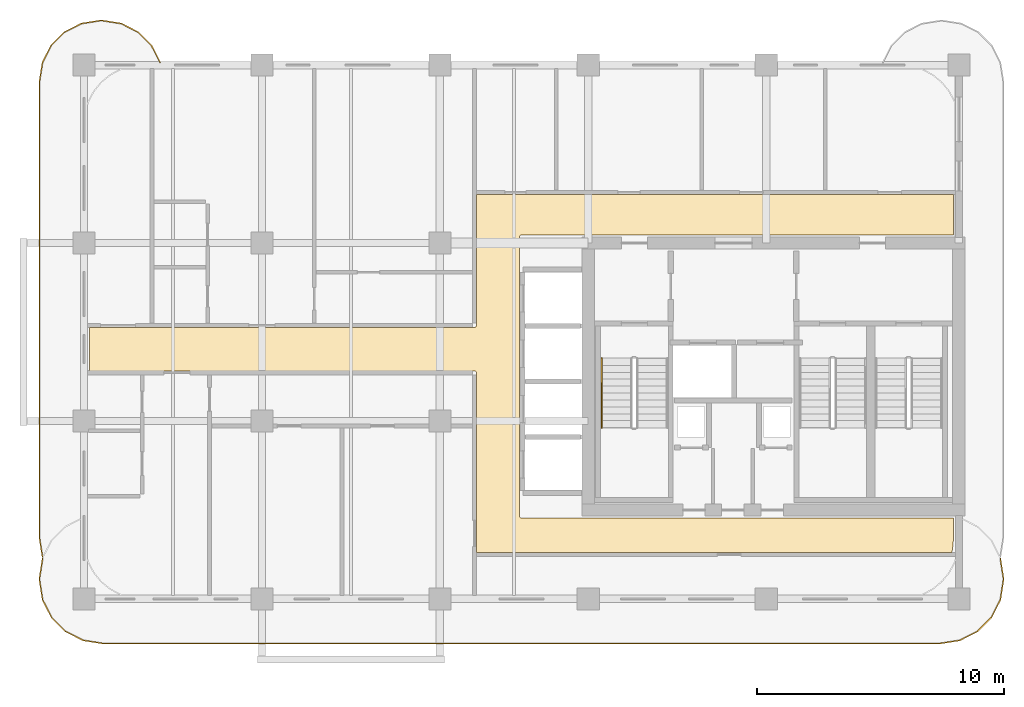
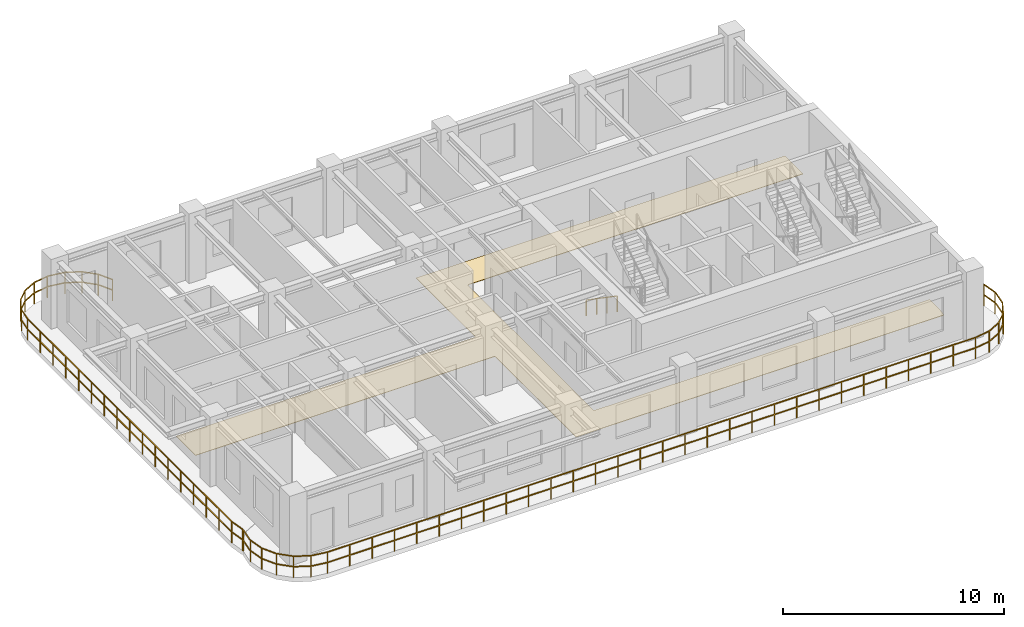
# One storey, part 6 of 7: 3 railings, 1 covering.
"""IFC4 building model written with IfcOpenShell, lengths in metres."""

from ifc_helpers import new_model, si_unit, derived_unit, direction, frame, origin, origin_2d, place, context, subcontext, project, spatial, polyline, rectangle, outline, extrude, material, layer, layer_set, type_object, element, save


model = new_model("IFC4")

# Units and contexts
model_context = context("Model", 3, precision=1e-05, world=origin(), true_north=direction((0.0, 1.0)))
body_context = subcontext(model_context, "Body", "Model", "MODEL_VIEW")
ifc_project = project(units=[si_unit("LENGTHUNIT", "METRE"), si_unit("AREAUNIT", "SQUARE_METRE"), si_unit("VOLUMEUNIT", "CUBIC_METRE"), si_unit("PLANEANGLEUNIT", "RADIAN"), si_unit("MASSUNIT", "GRAM", prefix="KILO"), si_unit("THERMODYNAMICTEMPERATUREUNIT", "KELVIN"), si_unit("POWERUNIT", "WATT"), derived_unit("THERMALTRANSMITTANCEUNIT", [(si_unit("POWERUNIT", "WATT"), 1), (si_unit("AREAUNIT", "SQUARE_METRE"), -1), (si_unit("THERMODYNAMICTEMPERATUREUNIT", "KELVIN"), -1)])], contexts=[model_context])

# Site, building, storey
site_placement = place(None, origin())
site = spatial("IfcSite", under=ifc_project, at=site_placement, CompositionType="ELEMENT")
building_placement = place(site_placement, origin())
building = spatial("IfcBuilding", under=site, at=building_placement, Name="Zahravan Archway Hotel and Residences", CompositionType="ELEMENT")
storey_placement = place(building_placement, frame((0.0, 0.0, 221.14990234375)))
storey = spatial("IfcBuildingStorey", under=building, at=storey_placement, Name="L55", CompositionType="ELEMENT", Elevation=221.14990234375)

# Covering
ifc_material_1 = material(Name="Engineered Walnut Parquet Flooring")
ifc_layer = layer(ifc_material_1, 0.02197265625, Name="Engineered Walnut Parquet Flooring")
ifc_layer_set = layer_set([ifc_layer], Name="Engineered Walnut Parquet Flooring")
covering_type = type_object("IfcCoveringType", Name="COV-FLR-TIMB", PredefinedType="FLOORING", material=ifc_layer_set)
covering_placement = place(storey_placement, origin())
element("IfcCovering", 1, at=covering_placement, inside=storey, type_object=covering_type, Name="L55 Circulation Floor Finish", PredefinedType="FLOORING", context=body_context, shape_type="SweptSolid", body=[
    extrude(outline(polyline([(30.215576171875, 10.991455078125), (30.256591796875, 11.013427734375), (30.278564453125, 11.054443359375), (30.280029296875, 16.3701171875), (49.580078125, 16.3701171875), (49.580078125, 14.72998046875), (32.10009765625, 14.72998046875), (32.0556640625, 14.716552734375), (32.026123046875, 14.6806640625), (32.02001953125, 3.35009765625), (32.033447265625, 3.3056640625), (32.0693359375, 3.276123046875), (49.580078125, 3.27001953125), (49.580078125, 2.410888671875), (49.537109375, 1.974853515625), (49.50830078125, 1.8798828125), (30.280029296875, 1.8798828125), (30.280029296875, 9.14990234375), (30.2666015625, 9.1943359375), (30.230712890625, 9.223876953125), (14.6201171875, 9.22998046875), (14.6201171875, 10.989990234375), (30.199951171875, 10.989990234375), (30.215576171875, 10.991455078125)])), origin(), (0.0, 0.0, 1.0), 0.022216796875),
])

# Railings
ifc_material_2 = material(Name="Bronze & Laminated Glass Balustrade", Category="glass")
railing_type_1 = type_object("IfcRailingType", Name="RL-BAL-1200", PredefinedType="BALUSTRADE", material=ifc_material_2)
railing_1_placement = place(storey_placement, frame((51.47509765625, 1.637939453125, 0.0)))
element("IfcRailing", 2, at=railing_1_placement, inside=storey, type_object=railing_type_1, Name="L55 Balustrade RL-SLB-BAL-L55-SA-1", PredefinedType="BALUSTRADE", context=body_context, shape_type="SweptSolid", body=[
    extrude(rectangle(XDim=0.048095703125, YDim=0.048095703125, at=origin_2d()), frame((0.0, 0.0, 1.17578125), z_axis=(0.156701202656, -0.987646056584, 0.0), x_axis=(0.987646056584, 0.156701202656, 0.0)), (0.0, 0.0, 1.0), 0.797607421875),
    extrude(rectangle(XDim=0.048095703125, YDim=0.048095703125, at=origin_2d()), frame((0.0, 0.0, 0.60009765625), z_axis=(0.156701202656, -0.987646056584, 0.0), x_axis=(0.987646056584, 0.156701202656, 0.0)), (0.0, 0.0, 1.0), 0.797607421875),
    extrude(rectangle(XDim=0.048095703125, YDim=0.048095703125, at=origin_2d()), frame((0.125, -0.787841796875, 1.17578125), z_axis=(0.0, -1.0, 0.0), x_axis=(1.0, 0.0, 0.0)), (0.0, 0.0, 1.0), 0.10009765625),
    extrude(rectangle(XDim=0.048095703125, YDim=0.048095703125, at=origin_2d()), frame((0.125, -0.787841796875, 0.60009765625), z_axis=(0.0, -1.0, 0.0), x_axis=(1.0, 0.0, 0.0)), (0.0, 0.0, 1.0), 0.10009765625),
    extrude(rectangle(XDim=0.048095703125, YDim=0.048095703125, at=origin_2d()), frame((0.125, -0.887939453125, 1.17578125), z_axis=(-0.156653849773, -0.98765356849, 0.0), x_axis=(0.98765356849, -0.156653849773, 0.0)), (0.0, 0.0, 1.0), 0.7978515625),
    extrude(rectangle(XDim=0.048095703125, YDim=0.048095703125, at=origin_2d()), frame((0.125, -0.887939453125, 0.60009765625), z_axis=(-0.156653849773, -0.98765356849, 0.0), x_axis=(0.98765356849, -0.156653849773, 0.0)), (0.0, 0.0, 1.0), 0.7978515625),
    extrude(rectangle(XDim=0.048095703125, YDim=0.048095703125, at=origin_2d()), frame((0.0, -1.676025390625, 1.17578125), z_axis=(-0.453934952053, -0.891034824967, 0.0), x_axis=(0.891034824967, -0.453934952053, 0.0)), (0.0, 0.0, 1.0), 0.797607421875),
    extrude(rectangle(XDim=0.048095703125, YDim=0.048095703125, at=origin_2d()), frame((0.0, -1.676025390625, 0.60009765625), z_axis=(-0.453934952053, -0.891034824967, 0.0), x_axis=(0.891034824967, -0.453934952053, 0.0)), (0.0, 0.0, 1.0), 0.797607421875),
    extrude(rectangle(XDim=0.048095703125, YDim=0.048095703125, at=origin_2d()), frame((-0.362060546875, -2.38671875, 1.17578125), z_axis=(-0.707106781187, -0.707106781187, 0.0), x_axis=(0.707106781187, -0.707106781187, 0.0)), (0.0, 0.0, 1.0), 0.7978515625),
    extrude(rectangle(XDim=0.048095703125, YDim=0.048095703125, at=origin_2d()), frame((-0.362060546875, -2.38671875, 0.60009765625), z_axis=(-0.707106781187, -0.707106781187, 0.0), x_axis=(0.707106781187, -0.707106781187, 0.0)), (0.0, 0.0, 1.0), 0.7978515625),
    extrude(rectangle(XDim=0.048095703125, YDim=0.048095703125, at=origin_2d()), frame((-0.92626953125, -2.950927734375, 1.17578125), z_axis=(-0.890974108706, -0.454054113091, 0.0), x_axis=(0.454054113091, -0.890974108706, 0.0)), (0.0, 0.0, 1.0), 0.7978515625),
    extrude(rectangle(XDim=0.048095703125, YDim=0.048095703125, at=origin_2d()), frame((-0.92626953125, -2.950927734375, 0.60009765625), z_axis=(-0.890974108706, -0.454054113091, 0.0), x_axis=(0.454054113091, -0.890974108706, 0.0)), (0.0, 0.0, 1.0), 0.7978515625),
    extrude(rectangle(XDim=0.048095703125, YDim=0.048095703125, at=origin_2d()), frame((-1.63720703125, -3.313232421875, 1.17578125), z_axis=(-0.987693380745, -0.156402639467, 0.0), x_axis=(0.156402639467, -0.987693380745, 0.0)), (0.0, 0.0, 1.0), 0.797607421875),
    extrude(rectangle(XDim=0.048095703125, YDim=0.048095703125, at=origin_2d()), frame((-1.63720703125, -3.313232421875, 0.60009765625), z_axis=(-0.987693380745, -0.156402639467, 0.0), x_axis=(0.156402639467, -0.987693380745, 0.0)), (0.0, 0.0, 1.0), 0.797607421875),
    extrude(rectangle(XDim=0.048095703125, YDim=0.048095703125, at=origin_2d()), frame((-2.425048828125, -3.43798828125, 1.17578125), z_axis=(-1.0, 0.0, 0.0), x_axis=(0.0, -1.0, 0.0)), (0.0, 0.0, 1.0), 33.900146484375),
    extrude(rectangle(XDim=0.048095703125, YDim=0.048095703125, at=origin_2d()), frame((-2.425048828125, -3.43798828125, 0.60009765625), z_axis=(-1.0, 0.0, 0.0), x_axis=(0.0, -1.0, 0.0)), (0.0, 0.0, 1.0), 33.900146484375),
    extrude(rectangle(XDim=0.048095703125, YDim=0.048095703125, at=origin_2d()), frame((-36.3251953125, -3.43798828125, 1.17578125), z_axis=(-0.987693380745, 0.156402639467, 0.0), x_axis=(-0.156402639467, -0.987693380745, 0.0)), (0.0, 0.0, 1.0), 0.797607421875),
    extrude(rectangle(XDim=0.048095703125, YDim=0.048095703125, at=origin_2d()), frame((-36.3251953125, -3.43798828125, 0.60009765625), z_axis=(-0.987693380745, 0.156402639467, 0.0), x_axis=(-0.156402639467, -0.987693380745, 0.0)), (0.0, 0.0, 1.0), 0.797607421875),
    extrude(rectangle(XDim=0.048095703125, YDim=0.048095703125, at=origin_2d()), frame((-37.113037109375, -3.313232421875, 1.17578125), z_axis=(-0.890974108706, 0.454054113091, 0.0), x_axis=(-0.454054113091, -0.890974108706, 0.0)), (0.0, 0.0, 1.0), 0.7978515625),
    extrude(rectangle(XDim=0.048095703125, YDim=0.048095703125, at=origin_2d()), frame((-37.113037109375, -3.313232421875, 0.60009765625), z_axis=(-0.890974108706, 0.454054113091, 0.0), x_axis=(-0.454054113091, -0.890974108706, 0.0)), (0.0, 0.0, 1.0), 0.7978515625),
    extrude(rectangle(XDim=0.048095703125, YDim=0.048095703125, at=origin_2d()), frame((-37.823974609375, -2.950927734375, 1.17578125), z_axis=(-0.707106781187, 0.707106781187, 0.0), x_axis=(-0.707106781187, -0.707106781187, 0.0)), (0.0, 0.0, 1.0), 0.7978515625),
    extrude(rectangle(XDim=0.048095703125, YDim=0.048095703125, at=origin_2d()), frame((-37.823974609375, -2.950927734375, 0.60009765625), z_axis=(-0.707106781187, 0.707106781187, 0.0), x_axis=(-0.707106781187, -0.707106781187, 0.0)), (0.0, 0.0, 1.0), 0.7978515625),
    extrude(rectangle(XDim=0.048095703125, YDim=0.048095703125, at=origin_2d()), frame((-38.38818359375, -2.38671875, 1.17578125), z_axis=(-0.453934952053, 0.891034824967, 0.0), x_axis=(-0.891034824967, -0.453934952053, 0.0)), (0.0, 0.0, 1.0), 0.797607421875),
    extrude(rectangle(XDim=0.048095703125, YDim=0.048095703125, at=origin_2d()), frame((-38.38818359375, -2.38671875, 0.60009765625), z_axis=(-0.453934952053, 0.891034824967, 0.0), x_axis=(-0.891034824967, -0.453934952053, 0.0)), (0.0, 0.0, 1.0), 0.797607421875),
    extrude(rectangle(XDim=0.048095703125, YDim=0.048095703125, at=origin_2d()), frame((-38.750244140625, -1.676025390625, 1.17578125), z_axis=(-0.156355372278, 0.987700864412, 0.0), x_axis=(-0.987700864412, -0.156355372278, 0.0)), (0.0, 0.0, 1.0), 0.7978515625),
    extrude(rectangle(XDim=0.048095703125, YDim=0.048095703125, at=origin_2d()), frame((-38.750244140625, -1.676025390625, 0.60009765625), z_axis=(-0.156355372278, 0.987700864412, 0.0), x_axis=(-0.987700864412, -0.156355372278, 0.0)), (0.0, 0.0, 1.0), 0.7978515625),
    extrude(rectangle(XDim=0.048095703125, YDim=0.048095703125, at=origin_2d()), frame((-38.875, -0.887939453125, 1.17578125), z_axis=(0.0, 1.0, 0.0), x_axis=(-1.0, 0.0, 0.0)), (0.0, 0.0, 1.0), 0.10009765625),
    extrude(rectangle(XDim=0.048095703125, YDim=0.048095703125, at=origin_2d()), frame((-38.875, -0.887939453125, 0.60009765625), z_axis=(0.0, 1.0, 0.0), x_axis=(-1.0, 0.0, 0.0)), (0.0, 0.0, 1.0), 0.10009765625),
    extrude(rectangle(XDim=0.048095703125, YDim=0.048095703125, at=origin_2d()), frame((-38.875, -0.787841796875, 1.17578125), z_axis=(0.156402639467, 0.987693380745, 0.0), x_axis=(-0.987693380745, 0.156402639467, 0.0)), (0.0, 0.0, 1.0), 0.797607421875),
    extrude(rectangle(XDim=0.048095703125, YDim=0.048095703125, at=origin_2d()), frame((-38.875, -0.787841796875, 0.60009765625), z_axis=(0.156402639467, 0.987693380745, 0.0), x_axis=(-0.987693380745, 0.156402639467, 0.0)), (0.0, 0.0, 1.0), 0.797607421875),
    extrude(rectangle(XDim=0.0419921875, YDim=0.0419921875, at=origin_2d()), origin(), (0.0, 0.0, 1.0), 1.15185546875),
    extrude(rectangle(XDim=0.0419921875, YDim=0.0419921875, at=origin_2d()), frame((0.125, -0.787841796875, 0.0)), (0.0, 0.0, 1.0), 1.15185546875),
    extrude(rectangle(XDim=0.0419921875, YDim=0.0419921875, at=origin_2d()), frame((0.0, -1.676025390625, 0.0)), (0.0, 0.0, 1.0), 1.15185546875),
    extrude(rectangle(XDim=0.0419921875, YDim=0.0419921875, at=origin_2d()), frame((-0.362060546875, -2.38671875, 0.0)), (0.0, 0.0, 1.0), 1.15185546875),
    extrude(rectangle(XDim=0.0419921875, YDim=0.0419921875, at=origin_2d()), frame((-0.92626953125, -2.950927734375, 0.0)), (0.0, 0.0, 1.0), 1.15185546875),
    extrude(rectangle(XDim=0.0419921875, YDim=0.0419921875, at=origin_2d()), frame((-1.63720703125, -3.313232421875, 0.0)), (0.0, 0.0, 1.0), 1.15185546875),
    extrude(rectangle(XDim=0.0419921875, YDim=0.0419921875, at=origin_2d()), frame((-2.425048828125, -3.43798828125, 0.0)), (0.0, 0.0, 1.0), 1.15185546875),
    extrude(rectangle(XDim=0.0419921875, YDim=0.0419921875, at=origin_2d()), frame((-3.593994140625, -3.43798828125, 0.0)), (0.0, 0.0, 1.0), 1.15185546875),
    extrude(rectangle(XDim=0.0419921875, YDim=0.0419921875, at=origin_2d()), frame((-4.762939453125, -3.43798828125, 0.0)), (0.0, 0.0, 1.0), 1.15185546875),
    extrude(rectangle(XDim=0.0419921875, YDim=0.0419921875, at=origin_2d()), frame((-5.931884765625, -3.43798828125, 0.0)), (0.0, 0.0, 1.0), 1.15185546875),
    extrude(rectangle(XDim=0.0419921875, YDim=0.0419921875, at=origin_2d()), frame((-7.100830078125, -3.43798828125, 0.0)), (0.0, 0.0, 1.0), 1.15185546875),
    extrude(rectangle(XDim=0.0419921875, YDim=0.0419921875, at=origin_2d()), frame((-8.27001953125, -3.43798828125, 0.0)), (0.0, 0.0, 1.0), 1.15185546875),
    extrude(rectangle(XDim=0.0419921875, YDim=0.0419921875, at=origin_2d()), frame((-9.43896484375, -3.43798828125, 0.0)), (0.0, 0.0, 1.0), 1.15185546875),
    extrude(rectangle(XDim=0.0419921875, YDim=0.0419921875, at=origin_2d()), frame((-10.60791015625, -3.43798828125, 0.0)), (0.0, 0.0, 1.0), 1.15185546875),
    extrude(rectangle(XDim=0.0419921875, YDim=0.0419921875, at=origin_2d()), frame((-11.77685546875, -3.43798828125, 0.0)), (0.0, 0.0, 1.0), 1.15185546875),
    extrude(rectangle(XDim=0.0419921875, YDim=0.0419921875, at=origin_2d()), frame((-12.94580078125, -3.43798828125, 0.0)), (0.0, 0.0, 1.0), 1.15185546875),
    extrude(rectangle(XDim=0.0419921875, YDim=0.0419921875, at=origin_2d()), frame((-14.11474609375, -3.43798828125, 0.0)), (0.0, 0.0, 1.0), 1.15185546875),
    extrude(rectangle(XDim=0.0419921875, YDim=0.0419921875, at=origin_2d()), frame((-15.28369140625, -3.43798828125, 0.0)), (0.0, 0.0, 1.0), 1.15185546875),
    extrude(rectangle(XDim=0.0419921875, YDim=0.0419921875, at=origin_2d()), frame((-16.45263671875, -3.43798828125, 0.0)), (0.0, 0.0, 1.0), 1.15185546875),
    extrude(rectangle(XDim=0.0419921875, YDim=0.0419921875, at=origin_2d()), frame((-17.62158203125, -3.43798828125, 0.0)), (0.0, 0.0, 1.0), 1.15185546875),
    extrude(rectangle(XDim=0.0419921875, YDim=0.0419921875, at=origin_2d()), frame((-18.79052734375, -3.43798828125, 0.0)), (0.0, 0.0, 1.0), 1.15185546875),
    extrude(rectangle(XDim=0.0419921875, YDim=0.0419921875, at=origin_2d()), frame((-19.959716796875, -3.43798828125, 0.0)), (0.0, 0.0, 1.0), 1.15185546875),
    extrude(rectangle(XDim=0.0419921875, YDim=0.0419921875, at=origin_2d()), frame((-21.128662109375, -3.43798828125, 0.0)), (0.0, 0.0, 1.0), 1.15185546875),
    extrude(rectangle(XDim=0.0419921875, YDim=0.0419921875, at=origin_2d()), frame((-22.297607421875, -3.43798828125, 0.0)), (0.0, 0.0, 1.0), 1.15185546875),
    extrude(rectangle(XDim=0.0419921875, YDim=0.0419921875, at=origin_2d()), frame((-23.466552734375, -3.43798828125, 0.0)), (0.0, 0.0, 1.0), 1.15185546875),
    extrude(rectangle(XDim=0.0419921875, YDim=0.0419921875, at=origin_2d()), frame((-24.635498046875, -3.43798828125, 0.0)), (0.0, 0.0, 1.0), 1.15185546875),
    extrude(rectangle(XDim=0.0419921875, YDim=0.0419921875, at=origin_2d()), frame((-25.804443359375, -3.43798828125, 0.0)), (0.0, 0.0, 1.0), 1.15185546875),
    extrude(rectangle(XDim=0.0419921875, YDim=0.0419921875, at=origin_2d()), frame((-26.973388671875, -3.43798828125, 0.0)), (0.0, 0.0, 1.0), 1.15185546875),
    extrude(rectangle(XDim=0.0419921875, YDim=0.0419921875, at=origin_2d()), frame((-28.142333984375, -3.43798828125, 0.0)), (0.0, 0.0, 1.0), 1.15185546875),
    extrude(rectangle(XDim=0.0419921875, YDim=0.0419921875, at=origin_2d()), frame((-29.311279296875, -3.43798828125, 0.0)), (0.0, 0.0, 1.0), 1.15185546875),
    extrude(rectangle(XDim=0.0419921875, YDim=0.0419921875, at=origin_2d()), frame((-30.480224609375, -3.43798828125, 0.0)), (0.0, 0.0, 1.0), 1.15185546875),
    extrude(rectangle(XDim=0.0419921875, YDim=0.0419921875, at=origin_2d()), frame((-31.6494140625, -3.43798828125, 0.0)), (0.0, 0.0, 1.0), 1.15185546875),
    extrude(rectangle(XDim=0.0419921875, YDim=0.0419921875, at=origin_2d()), frame((-32.818359375, -3.43798828125, 0.0)), (0.0, 0.0, 1.0), 1.15185546875),
    extrude(rectangle(XDim=0.0419921875, YDim=0.0419921875, at=origin_2d()), frame((-33.9873046875, -3.43798828125, 0.0)), (0.0, 0.0, 1.0), 1.15185546875),
    extrude(rectangle(XDim=0.0419921875, YDim=0.0419921875, at=origin_2d()), frame((-35.15625, -3.43798828125, 0.0)), (0.0, 0.0, 1.0), 1.15185546875),
    extrude(rectangle(XDim=0.0419921875, YDim=0.0419921875, at=origin_2d()), frame((-36.3251953125, -3.43798828125, 0.0)), (0.0, 0.0, 1.0), 1.15185546875),
    extrude(rectangle(XDim=0.0419921875, YDim=0.0419921875, at=origin_2d()), frame((-37.113037109375, -3.313232421875, 0.0)), (0.0, 0.0, 1.0), 1.15185546875),
    extrude(rectangle(XDim=0.0419921875, YDim=0.0419921875, at=origin_2d()), frame((-37.823974609375, -2.950927734375, 0.0)), (0.0, 0.0, 1.0), 1.15185546875),
    extrude(rectangle(XDim=0.0419921875, YDim=0.0419921875, at=origin_2d()), frame((-38.38818359375, -2.38671875, 0.0)), (0.0, 0.0, 1.0), 1.15185546875),
    extrude(rectangle(XDim=0.0419921875, YDim=0.0419921875, at=origin_2d()), frame((-38.750244140625, -1.676025390625, 0.0)), (0.0, 0.0, 1.0), 1.15185546875),
    extrude(rectangle(XDim=0.0419921875, YDim=0.0419921875, at=origin_2d()), frame((-38.875, -0.887939453125, 0.0)), (0.0, 0.0, 1.0), 1.15185546875),
    extrude(rectangle(XDim=0.0419921875, YDim=0.0419921875, at=origin_2d()), frame((-38.750244140625, 0.0, 0.0)), (0.0, 0.0, 1.0), 1.15185546875),
])
railing_2_placement = place(storey_placement, frame((12.719970703125, 1.69287109375, 0.0)))
element("IfcRailing", 3, at=railing_2_placement, inside=storey, type_object=railing_type_1, Name="L55 Balustrade RL-SLB-BAL-L55-WA-1", PredefinedType="BALUSTRADE", context=body_context, shape_type="SweptSolid", body=[
    extrude(rectangle(XDim=0.048095703125, YDim=0.048095703125, at=origin_2d()), frame((0.0, 0.0, 1.17578125), z_axis=(-0.156387811283, 0.987695728695, 0.0), x_axis=(-0.987695728695, -0.156387811283, 0.0)), (0.0, 0.0, 1.0), 0.7666015625),
    extrude(rectangle(XDim=0.048095703125, YDim=0.048095703125, at=origin_2d()), frame((0.0, 0.0, 0.60009765625), z_axis=(-0.156387811283, 0.987695728695, 0.0), x_axis=(-0.987695728695, -0.156387811283, 0.0)), (0.0, 0.0, 1.0), 0.7666015625),
    extrude(rectangle(XDim=0.048095703125, YDim=0.048095703125, at=origin_2d()), frame((-0.119873046875, 0.757080078125, 1.17578125), z_axis=(0.0, 1.0, 0.0), x_axis=(-1.0, 0.0, 0.0)), (0.0, 0.0, 1.0), 18.5),
    extrude(rectangle(XDim=0.048095703125, YDim=0.048095703125, at=origin_2d()), frame((-0.119873046875, 0.757080078125, 0.60009765625), z_axis=(0.0, 1.0, 0.0), x_axis=(-1.0, 0.0, 0.0)), (0.0, 0.0, 1.0), 18.5),
    extrude(rectangle(XDim=0.048095703125, YDim=0.048095703125, at=origin_2d()), frame((-0.119873046875, 19.257080078125, 1.17578125), z_axis=(0.156387811283, 0.987695728695, 0.0), x_axis=(-0.987695728695, 0.156387811283, 0.0)), (0.0, 0.0, 1.0), 0.7666015625),
    extrude(rectangle(XDim=0.048095703125, YDim=0.048095703125, at=origin_2d()), frame((-0.119873046875, 19.257080078125, 0.60009765625), z_axis=(0.156387811283, 0.987695728695, 0.0), x_axis=(-0.987695728695, 0.156387811283, 0.0)), (0.0, 0.0, 1.0), 0.7666015625),
    extrude(rectangle(XDim=0.048095703125, YDim=0.048095703125, at=origin_2d()), frame((0.0, 20.01416015625, 1.17578125), z_axis=(0.453825591531, 0.891090529897, 0.0), x_axis=(-0.891090529897, 0.453825591531, 0.0)), (0.0, 0.0, 1.0), 0.7666015625),
    extrude(rectangle(XDim=0.048095703125, YDim=0.048095703125, at=origin_2d()), frame((0.0, 20.01416015625, 0.60009765625), z_axis=(0.453825591531, 0.891090529897, 0.0), x_axis=(-0.891090529897, 0.453825591531, 0.0)), (0.0, 0.0, 1.0), 0.7666015625),
    extrude(rectangle(XDim=0.048095703125, YDim=0.048095703125, at=origin_2d()), frame((0.347900390625, 20.697265625, 1.17578125), z_axis=(0.707106781187, 0.707106781187, 0.0), x_axis=(-0.707106781187, 0.707106781187, 0.0)), (0.0, 0.0, 1.0), 0.7666015625),
    extrude(rectangle(XDim=0.048095703125, YDim=0.048095703125, at=origin_2d()), frame((0.347900390625, 20.697265625, 0.60009765625), z_axis=(0.707106781187, 0.707106781187, 0.0), x_axis=(-0.707106781187, 0.707106781187, 0.0)), (0.0, 0.0, 1.0), 0.7666015625),
    extrude(rectangle(XDim=0.048095703125, YDim=0.048095703125, at=origin_2d()), frame((0.889892578125, 21.2392578125, 1.17578125), z_axis=(0.891090529897, 0.453825591531, 0.0), x_axis=(-0.453825591531, 0.891090529897, 0.0)), (0.0, 0.0, 1.0), 0.7666015625),
    extrude(rectangle(XDim=0.048095703125, YDim=0.048095703125, at=origin_2d()), frame((0.889892578125, 21.2392578125, 0.60009765625), z_axis=(0.891090529897, 0.453825591531, 0.0), x_axis=(-0.453825591531, 0.891090529897, 0.0)), (0.0, 0.0, 1.0), 0.7666015625),
    extrude(rectangle(XDim=0.048095703125, YDim=0.048095703125, at=origin_2d()), frame((1.572998046875, 21.587158203125, 1.17578125), z_axis=(0.987695728695, 0.156387811283, 0.0), x_axis=(-0.156387811283, 0.987695728695, 0.0)), (0.0, 0.0, 1.0), 0.7666015625),
    extrude(rectangle(XDim=0.048095703125, YDim=0.048095703125, at=origin_2d()), frame((1.572998046875, 21.587158203125, 0.60009765625), z_axis=(0.987695728695, 0.156387811283, 0.0), x_axis=(-0.156387811283, 0.987695728695, 0.0)), (0.0, 0.0, 1.0), 0.7666015625),
    extrude(rectangle(XDim=0.048095703125, YDim=0.048095703125, at=origin_2d()), frame((2.330078125, 21.70703125, 1.17578125), z_axis=(1.0, 0.0, 0.0), x_axis=(0.0, 1.0, 0.0)), (0.0, 0.0, 1.0), 0.099853515625),
    extrude(rectangle(XDim=0.048095703125, YDim=0.048095703125, at=origin_2d()), frame((2.330078125, 21.70703125, 0.60009765625), z_axis=(1.0, 0.0, 0.0), x_axis=(0.0, 1.0, 0.0)), (0.0, 0.0, 1.0), 0.099853515625),
    extrude(rectangle(XDim=0.048095703125, YDim=0.048095703125, at=origin_2d()), frame((2.429931640625, 21.70703125, 1.17578125), z_axis=(0.987695728695, -0.156387811283, 0.0), x_axis=(0.156387811283, 0.987695728695, 0.0)), (0.0, 0.0, 1.0), 0.7666015625),
    extrude(rectangle(XDim=0.048095703125, YDim=0.048095703125, at=origin_2d()), frame((2.429931640625, 21.70703125, 0.60009765625), z_axis=(0.987695728695, -0.156387811283, 0.0), x_axis=(0.156387811283, 0.987695728695, 0.0)), (0.0, 0.0, 1.0), 0.7666015625),
    extrude(rectangle(XDim=0.048095703125, YDim=0.048095703125, at=origin_2d()), frame((3.18701171875, 21.587158203125, 1.17578125), z_axis=(0.891090529897, -0.453825591531, 0.0), x_axis=(0.453825591531, 0.891090529897, 0.0)), (0.0, 0.0, 1.0), 0.7666015625),
    extrude(rectangle(XDim=0.048095703125, YDim=0.048095703125, at=origin_2d()), frame((3.18701171875, 21.587158203125, 0.60009765625), z_axis=(0.891090529897, -0.453825591531, 0.0), x_axis=(0.453825591531, 0.891090529897, 0.0)), (0.0, 0.0, 1.0), 0.7666015625),
    extrude(rectangle(XDim=0.048095703125, YDim=0.048095703125, at=origin_2d()), frame((3.8701171875, 21.2392578125, 1.17578125), z_axis=(0.707106781187, -0.707106781187, 0.0), x_axis=(0.707106781187, 0.707106781187, 0.0)), (0.0, 0.0, 1.0), 0.7666015625),
    extrude(rectangle(XDim=0.048095703125, YDim=0.048095703125, at=origin_2d()), frame((3.8701171875, 21.2392578125, 0.60009765625), z_axis=(0.707106781187, -0.707106781187, 0.0), x_axis=(0.707106781187, 0.707106781187, 0.0)), (0.0, 0.0, 1.0), 0.7666015625),
    extrude(rectangle(XDim=0.048095703125, YDim=0.048095703125, at=origin_2d()), frame((4.412109375, 20.697265625, 1.17578125), z_axis=(0.453825591531, -0.891090529897, 0.0), x_axis=(0.891090529897, 0.453825591531, 0.0)), (0.0, 0.0, 1.0), 0.7666015625),
    extrude(rectangle(XDim=0.048095703125, YDim=0.048095703125, at=origin_2d()), frame((4.412109375, 20.697265625, 0.60009765625), z_axis=(0.453825591531, -0.891090529897, 0.0), x_axis=(0.891090529897, 0.453825591531, 0.0)), (0.0, 0.0, 1.0), 0.7666015625),
    extrude(rectangle(XDim=0.0419921875, YDim=0.0419921875, at=origin_2d()), origin(), (0.0, 0.0, 1.0), 1.15185546875),
    extrude(rectangle(XDim=0.0419921875, YDim=0.0419921875, at=origin_2d()), frame((-0.119873046875, 0.757080078125, 0.0)), (0.0, 0.0, 1.0), 1.15185546875),
    extrude(rectangle(XDim=0.0419921875, YDim=0.0419921875, at=origin_2d()), frame((-0.119873046875, 1.913330078125, 0.0)), (0.0, 0.0, 1.0), 1.15185546875),
    extrude(rectangle(XDim=0.0419921875, YDim=0.0419921875, at=origin_2d()), frame((-0.119873046875, 3.069580078125, 0.0)), (0.0, 0.0, 1.0), 1.15185546875),
    extrude(rectangle(XDim=0.0419921875, YDim=0.0419921875, at=origin_2d()), frame((-0.119873046875, 4.225830078125, 0.0)), (0.0, 0.0, 1.0), 1.15185546875),
    extrude(rectangle(XDim=0.0419921875, YDim=0.0419921875, at=origin_2d()), frame((-0.119873046875, 5.382080078125, 0.0)), (0.0, 0.0, 1.0), 1.15185546875),
    extrude(rectangle(XDim=0.0419921875, YDim=0.0419921875, at=origin_2d()), frame((-0.119873046875, 6.538330078125, 0.0)), (0.0, 0.0, 1.0), 1.15185546875),
    extrude(rectangle(XDim=0.0419921875, YDim=0.0419921875, at=origin_2d()), frame((-0.119873046875, 7.694580078125, 0.0)), (0.0, 0.0, 1.0), 1.15185546875),
    extrude(rectangle(XDim=0.0419921875, YDim=0.0419921875, at=origin_2d()), frame((-0.119873046875, 8.850830078125, 0.0)), (0.0, 0.0, 1.0), 1.15185546875),
    extrude(rectangle(XDim=0.0419921875, YDim=0.0419921875, at=origin_2d()), frame((-0.119873046875, 10.007080078125, 0.0)), (0.0, 0.0, 1.0), 1.15185546875),
    extrude(rectangle(XDim=0.0419921875, YDim=0.0419921875, at=origin_2d()), frame((-0.119873046875, 11.163330078125, 0.0)), (0.0, 0.0, 1.0), 1.15185546875),
    extrude(rectangle(XDim=0.0419921875, YDim=0.0419921875, at=origin_2d()), frame((-0.119873046875, 12.319580078125, 0.0)), (0.0, 0.0, 1.0), 1.15185546875),
    extrude(rectangle(XDim=0.0419921875, YDim=0.0419921875, at=origin_2d()), frame((-0.119873046875, 13.475830078125, 0.0)), (0.0, 0.0, 1.0), 1.15185546875),
    extrude(rectangle(XDim=0.0419921875, YDim=0.0419921875, at=origin_2d()), frame((-0.119873046875, 14.632080078125, 0.0)), (0.0, 0.0, 1.0), 1.15185546875),
    extrude(rectangle(XDim=0.0419921875, YDim=0.0419921875, at=origin_2d()), frame((-0.119873046875, 15.788330078125, 0.0)), (0.0, 0.0, 1.0), 1.15185546875),
    extrude(rectangle(XDim=0.0419921875, YDim=0.0419921875, at=origin_2d()), frame((-0.119873046875, 16.944580078125, 0.0)), (0.0, 0.0, 1.0), 1.15185546875),
    extrude(rectangle(XDim=0.0419921875, YDim=0.0419921875, at=origin_2d()), frame((-0.119873046875, 18.100830078125, 0.0)), (0.0, 0.0, 1.0), 1.15185546875),
    extrude(rectangle(XDim=0.0419921875, YDim=0.0419921875, at=origin_2d()), frame((-0.119873046875, 19.257080078125, 0.0)), (0.0, 0.0, 1.0), 1.15185546875),
    extrude(rectangle(XDim=0.0419921875, YDim=0.0419921875, at=origin_2d()), frame((0.0, 20.01416015625, 0.0)), (0.0, 0.0, 1.0), 1.15185546875),
    extrude(rectangle(XDim=0.0419921875, YDim=0.0419921875, at=origin_2d()), frame((0.347900390625, 20.697265625, 0.0)), (0.0, 0.0, 1.0), 1.15185546875),
    extrude(rectangle(XDim=0.0419921875, YDim=0.0419921875, at=origin_2d()), frame((0.889892578125, 21.2392578125, 0.0)), (0.0, 0.0, 1.0), 1.15185546875),
    extrude(rectangle(XDim=0.0419921875, YDim=0.0419921875, at=origin_2d()), frame((1.572998046875, 21.587158203125, 0.0)), (0.0, 0.0, 1.0), 1.15185546875),
    extrude(rectangle(XDim=0.0419921875, YDim=0.0419921875, at=origin_2d()), frame((2.330078125, 21.70703125, 0.0)), (0.0, 0.0, 1.0), 1.15185546875),
    extrude(rectangle(XDim=0.0419921875, YDim=0.0419921875, at=origin_2d()), frame((3.18701171875, 21.587158203125, 0.0)), (0.0, 0.0, 1.0), 1.15185546875),
    extrude(rectangle(XDim=0.0419921875, YDim=0.0419921875, at=origin_2d()), frame((3.8701171875, 21.2392578125, 0.0)), (0.0, 0.0, 1.0), 1.15185546875),
    extrude(rectangle(XDim=0.0419921875, YDim=0.0419921875, at=origin_2d()), frame((4.412109375, 20.697265625, 0.0)), (0.0, 0.0, 1.0), 1.15185546875),
    extrude(rectangle(XDim=0.0419921875, YDim=0.0419921875, at=origin_2d()), frame((4.760009765625, 20.01416015625, 0.0)), (0.0, 0.0, 1.0), 1.15185546875),
])
ifc_material_3 = material(Name="Brushed Stainless Steel", Category="steel")
railing_type_2 = type_object("IfcRailingType", Name="RL-STH-900", PredefinedType="HANDRAIL", material=ifc_material_3)
railing_3_placement = place(storey_placement, frame((35.35009765625, 9.72998046875, 0.175048828125)))
element("IfcRailing", 4, at=railing_3_placement, inside=storey, type_object=railing_type_2, Name="L55 ST-A1 stair handrail 1", PredefinedType="HANDRAIL", context=body_context, shape_type="SweptSolid", body=[
    extrude(rectangle(XDim=0.048095703125, YDim=0.048095703125, at=origin_2d()), frame((0.0, 0.0, 0.8759765625), z_axis=(0.0, -0.824039827795, 0.566531872191), x_axis=(1.0, 0.0, 0.0)), (0.0, 0.0, 1.0), 3.39794921875),
    extrude(rectangle(XDim=0.0419921875, YDim=0.0419921875, at=origin_2d()), origin(), (0.0, 0.0, 1.0), 0.851806640625),
    extrude(rectangle(XDim=0.0419921875, YDim=0.0419921875, at=origin_2d()), frame((0.0, -0.933349609375, 0.6416015625)), (0.0, 0.0, 1.0), 0.851806640625),
    extrude(rectangle(XDim=0.0419921875, YDim=0.0419921875, at=origin_2d()), frame((0.0, -1.86669921875, 1.283447265625)), (0.0, 0.0, 1.0), 0.851806640625),
    extrude(rectangle(XDim=0.0419921875, YDim=0.0419921875, at=origin_2d()), frame((0.0, -2.800048828125, 1.925048828125)), (0.0, 0.0, 1.0), 0.851806640625),
])

save(model, "model.ifc")
